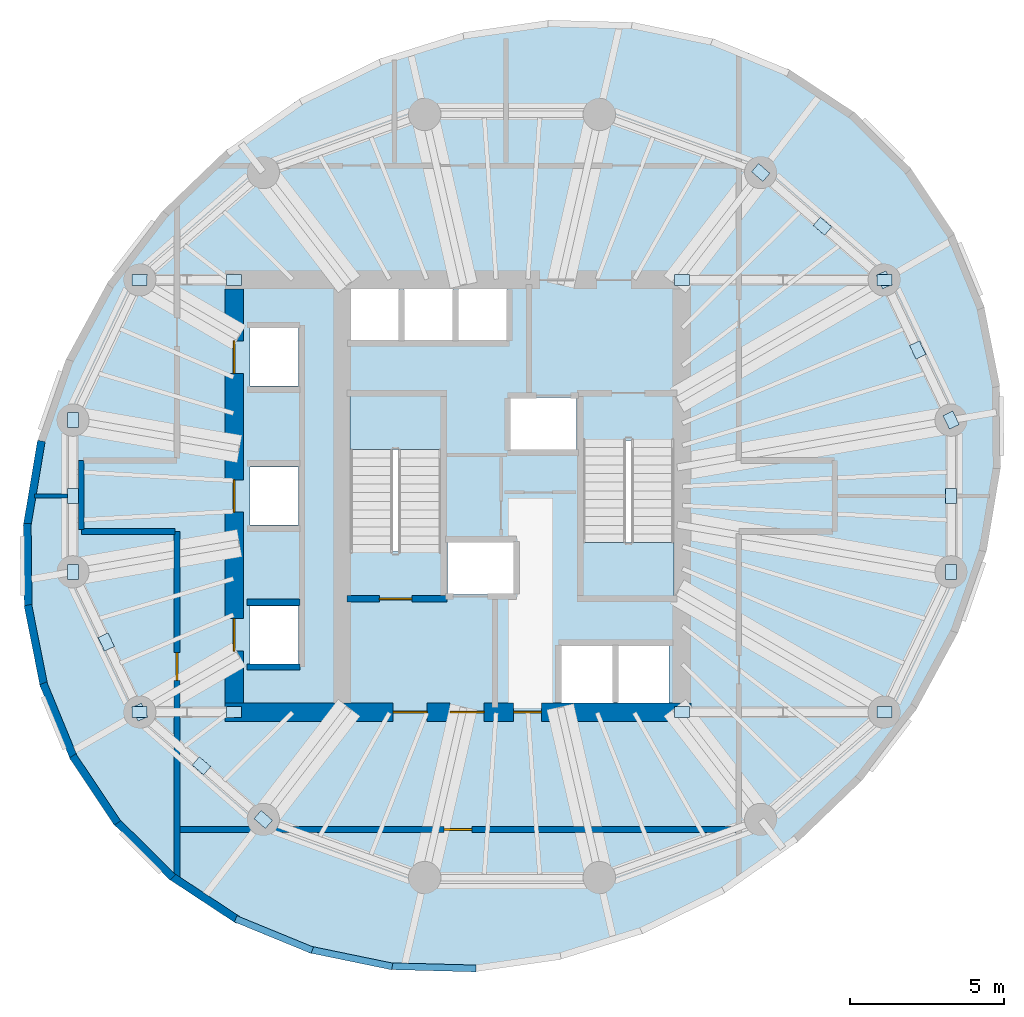
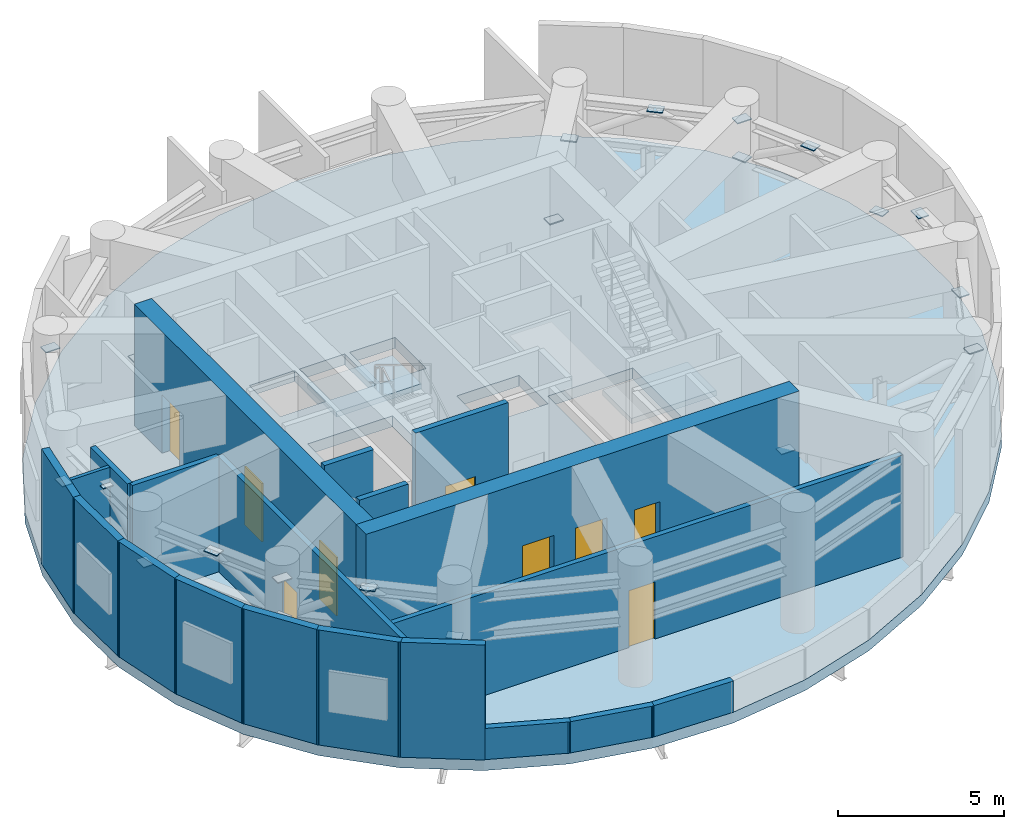
# One storey, part 4 of 8: 22 plates, 20 walls, 9 doors, 3 slabs, 9 openings, 2 elements without a shape of their own.
"""IFC4 building model written with IfcOpenShell, lengths in metres."""

from ifc_helpers import new_model, si_unit, direction, frame, frame_2d, origin, origin_2d, place, context, subcontext, project, spatial, polyline, rectangle, outline, extrude, material, layer, layer_set, type_object, element, fill, aggregate, save


model = new_model("IFC4")

# Units and contexts
model_context = context("Model", 3, precision=1e-05, world=origin(), true_north=direction((0.0, 1.0)))
body_context = subcontext(model_context, "Body", "Model", "MODEL_VIEW")
ifc_project = project(units=[si_unit("LENGTHUNIT", "METRE"), si_unit("AREAUNIT", "SQUARE_METRE"), si_unit("VOLUMEUNIT", "CUBIC_METRE"), si_unit("PLANEANGLEUNIT", "RADIAN"), si_unit("MASSUNIT", "GRAM", prefix="KILO")], contexts=[model_context])

# Site, building, storey
site_placement = place(None, origin())
site = spatial("IfcSite", under=ifc_project, at=site_placement, CompositionType="ELEMENT")
building_placement = place(site_placement, origin())
building = spatial("IfcBuilding", under=site, at=building_placement, Name="Veldorim Arch Residences", CompositionType="ELEMENT")
storey_placement = place(building_placement, frame((0.0, 0.0, 158.56005859375)))
storey = spatial("IfcBuildingStorey", under=building, at=storey_placement, Name="L47", CompositionType="ELEMENT", Elevation=158.56005859375)

# Slab
ifc_material_1 = material(Name="Concrete C50/60", Category="concrete")
ifc_layer_1 = layer(ifc_material_1, 0.39990234375, Name="Refuge & Outrigger Diaphragm Slab 400")
ifc_layer_set_1 = layer_set([ifc_layer_1], Name="Concrete C50/60")
slab_type_1 = type_object("IfcSlabType", Name="Refuge & Outrigger Diaphragm Slab 400", PredefinedType="FLOOR", material=ifc_layer_set_1)
slab_1_placement = place(storey_placement, frame((0.0, 0.0, -0.400146484375)))
element("IfcSlab", 1, at=slab_1_placement, inside=storey, type_object=slab_type_1, Name="L47 tower structural floor slab", PredefinedType="FLOOR", context=body_context, shape_type="SweptSolid", body=[
    extrude(outline(polyline([(44.889892578125, 34.617919921875), (43.0908203125, 36.40283203125), (40.955078125, 37.810791015625), (38.547119140625, 38.799072265625), (35.93994140625, 39.337646484375), (33.21337890625, 39.410400390625), (30.44970703125, 39.0146484375), (27.7333984375, 38.162841796875), (25.146484375, 36.880615234375), (22.76806640625, 35.207275390625), (20.669921875, 33.193115234375), (18.916259765625, 30.89990234375), (17.56005859375, 28.396728515625), (16.642578125, 25.760009765625), (16.191650390625, 23.070068359375), (16.22119140625, 20.408203125), (16.72998046875, 17.85546875), (17.702880859375, 15.489501953125), (19.110107421875, 13.382080078125), (20.9091796875, 11.59716796875), (23.044921875, 10.189208984375), (25.452880859375, 9.200927734375), (28.06005859375, 8.662353515625), (30.78662109375, 8.589599609375), (33.55029296875, 8.9853515625), (36.2666015625, 9.837158203125), (38.853515625, 11.119384765625), (41.23193359375, 12.792724609375), (43.330078125, 14.806884765625), (45.083740234375, 17.10009765625), (46.43994140625, 19.603271484375), (47.357421875, 22.239990234375), (47.808349609375, 24.929931640625), (47.77880859375, 27.591796875), (47.27001953125, 30.14453125), (46.297119140625, 32.510498046875), (44.889892578125, 34.617919921875)]), holes=[polyline([(23.510009765625, 18.56005859375), (23.510009765625, 20.43994140625), (25.090087890625, 20.43994140625), (25.090087890625, 18.56005859375), (23.510009765625, 18.56005859375)]), polyline([(23.510009765625, 24.93994140625), (25.090087890625, 24.93994140625), (25.090087890625, 23.06005859375), (23.510009765625, 23.06005859375), (23.510009765625, 24.93994140625)]), polyline([(26.75, 27.25), (29.7099609375, 27.25), (29.7099609375, 22.195068359375), (26.75, 22.195068359375), (26.75, 27.25)]), polyline([(23.510009765625, 27.56005859375), (23.510009765625, 29.43994140625), (25.090087890625, 29.43994140625), (25.090087890625, 27.56005859375), (23.510009765625, 27.56005859375)]), polyline([(26.760009765625, 30.7900390625), (28.340087890625, 30.7900390625), (28.340087890625, 28.909912109375), (26.760009765625, 28.909912109375), (26.760009765625, 30.7900390625)]), polyline([(28.510009765625, 30.7900390625), (30.090087890625, 30.7900390625), (30.090087890625, 28.909912109375), (28.510009765625, 28.909912109375), (28.510009765625, 30.7900390625)]), polyline([(33.610107421875, 17.2099609375), (33.610107421875, 19.2900390625), (35.2900390625, 19.2900390625), (35.2900390625, 17.2099609375), (33.610107421875, 17.2099609375)]), polyline([(35.409912109375, 19.2900390625), (37.090087890625, 19.2900390625), (37.090087890625, 17.2099609375), (35.409912109375, 17.2099609375), (35.409912109375, 19.2900390625)]), polyline([(29.909912109375, 22.544921875), (32.090087890625, 22.544921875), (32.090087890625, 20.81494140625), (29.909912109375, 20.81494140625), (29.909912109375, 22.544921875)]), polyline([(34.2900390625, 20.75), (34.2900390625, 25.804931640625), (37.25, 25.804931640625), (37.25, 20.75), (34.2900390625, 20.75)]), polyline([(31.909912109375, 27.18505859375), (34.090087890625, 27.18505859375), (34.090087890625, 25.455078125), (31.909912109375, 25.455078125), (31.909912109375, 27.18505859375)]), polyline([(30.260009765625, 30.7900390625), (31.840087890625, 30.7900390625), (31.840087890625, 28.909912109375), (30.260009765625, 28.909912109375), (30.260009765625, 30.7900390625)])]), origin(), (0.0, 0.0, 1.0), 0.400146484375),
])

# Stair, slab
ifc_material_2 = material(Name="Concrete C40/50", Category="concrete")
stair_type = type_object("IfcStairType", Name="Reinforced Concrete Dogleg Exit Staircase", PredefinedType="HALF_TURN_STAIR", material=ifc_material_2)
stair_1_placement = place(storey_placement, origin())
stair_1 = element("IfcStair", 2, at=stair_1_placement, inside=storey, type_object=stair_type, Name="L47 Exit Staircase ST-1", PredefinedType="HALF_TURN_STAIR")
ifc_material_3 = material(Name="Concrete C40/50", Category="concrete")
ifc_layer_2 = layer(ifc_material_3, 0.199951171875, Name="Reinforced Concrete Stair Landing 200")
ifc_layer_set_2 = layer_set([ifc_layer_2], Name="Concrete C40/50")
slab_type_2 = type_object("IfcSlabType", Name="Reinforced Concrete Stair Landing 200", PredefinedType="LANDING", material=ifc_layer_set_2)
slab_2_placement = place(storey_placement, frame((0.0, 0.0, 2.0400390625)))
slab_2 = element("IfcSlab", 3, at=slab_2_placement, type_object=slab_type_2, Name="ST-1 landing 1", PredefinedType="LANDING", context=body_context, shape_type="SweptSolid", body=[
    extrude(outline(polyline([(29.7099609375, 25.510009765625), (29.7099609375, 27.25), (26.75, 27.25), (26.75, 25.510009765625), (29.7099609375, 25.510009765625)])), origin(), (0.0, 0.0, 1.0), 0.199951171875),
])
aggregate(stair_1, [slab_2])

stair_2_placement = place(storey_placement, origin())
stair_2 = element("IfcStair", 4, at=stair_2_placement, inside=storey, type_object=stair_type, Name="L47 Exit Staircase ST-2", PredefinedType="HALF_TURN_STAIR")
slab_3_placement = place(storey_placement, frame((0.0, 0.0, 2.0400390625)))
slab_3 = element("IfcSlab", 5, at=slab_3_placement, type_object=slab_type_2, Name="ST-2 landing 1", PredefinedType="LANDING", context=body_context, shape_type="SweptSolid", body=[
    extrude(outline(polyline([(34.2900390625, 22.489990234375), (34.2900390625, 20.75), (37.25, 20.75), (37.25, 22.489990234375), (34.2900390625, 22.489990234375)])), origin(), (0.0, 0.0, 1.0), 0.199951171875),
])
aggregate(stair_2, [slab_3])

# Plates
ifc_material_4 = material(Name="Steel S355", Category="steel")
ifc_layer_3 = layer(ifc_material_4, 0.035888671875, Name="Welded Hollow-Section End-Cap & Gusset Plate 36")
ifc_layer_set_3 = layer_set([ifc_layer_3], Name="Steel S355")
plate_type = type_object("IfcPlateType", Name="Welded Hollow-Section End-Cap & Gusset Plate 36", PredefinedType="USERDEFINED", material=ifc_layer_set_3)
for number, where, z_axis, x_axis, name in (
    (6, (46.221435546875, 26.4580078125, 2.22216796875), (0.0, 0.0, 1.0), (-0.430259030666, 0.902705470533, 0.0), "L47 belt truss chevron brace 01A welded joint gusset plate 1"),
    (7, (45.138916015625, 28.729248046875, 3.64208984375), (0.0, 0.0, 1.0), (-0.430259030666, 0.902705470533, 0.0), "L47 belt truss chevron brace 01A welded joint gusset plate 2"),
    (8, (44.056396484375, 31.000244140625, 2.22216796875), (0.0, 0.0, 1.0), (0.430306295624, -0.902682940986, 0.0), "L47 belt truss chevron brace 01B welded joint gusset plate 1"),
    (9, (42.055908203125, 32.73828125, 3.64208984375), (0.0, 0.0, 1.0), (-0.754846968351, 0.655900948598, 0.0), "L47 belt truss chevron brace 02A welded joint gusset plate 2"),
    (10, (40.055908203125, 34.4765625, 2.22216796875), (0.0, 0.0, 1.0), (0.754812624423, -0.655940471394, 0.0), "L47 belt truss chevron brace 02B welded joint gusset plate 1"),
    (11, (17.778564453125, 26.4580078125, 2.22216796875), (0.0, 0.0, 1.0), (0.0, -1.0, 0.0), "L47 belt truss chevron brace 08A welded joint gusset plate 1"),
    (12, (17.778564453125, 24.0, 3.64208984375), (0.0, 0.0, 1.0), (0.0, -1.0, 0.0), "L47 belt truss chevron brace 08A welded joint gusset plate 2"),
    (13, (17.778564453125, 21.5419921875, 2.22216796875), (0.0, 0.0, 1.0), (0.0, 1.0, 0.0), "L47 belt truss chevron brace 08B welded joint gusset plate 1"),
    (14, (18.861083984375, 19.270751953125, 3.64208984375), (0.0, 0.0, 1.0), (0.430290540769, -0.90269045111, 0.0), "L47 belt truss chevron brace 09A welded joint gusset plate 2"),
    (15, (19.943603515625, 16.999755859375, 2.22216796875), (0.0, 0.0, 1.0), (-0.430274785783, 0.902697960959, 0.0), "L47 belt truss chevron brace 09B welded joint gusset plate 1"),
    (16, (21.944091796875, 15.26171875, 3.64208984375), (0.0, 0.0, 1.0), (0.754824072629, -0.655927297328, 0.0), "L47 belt truss chevron brace 10A welded joint gusset plate 2"),
    (17, (23.944091796875, 13.5234375, 2.22216796875), (0.0, 0.0, 1.0), (-0.754835520605, 0.655914123063, 0.0), "L47 belt truss chevron brace 10B welded joint gusset plate 1"),
    (18, (46.221435546875, 21.5419921875, 2.22216796875), (0.0, 0.0, 1.0), (0.0, 1.0, 0.0), "L47 belt truss chevron brace 16A welded joint gusset plate 1"),
    (19, (46.221435546875, 24.0, 3.64208984375), (0.0, 0.0, 1.0), (0.0, 1.0, 0.0), "L47 belt truss chevron brace 16A welded joint gusset plate 2"),
    (20, (37.5, 17.0, 2.22216796875), (0.0, 0.0, 1.0), (0.999999999391, -3.4906585e-05, 0.0), "L47 outrigger truss diagonal 01 welded joint gusset plate 1"),
    (21, (44.056396484375, 16.999755859375, 3.64208984375), (0.0, 0.0, 1.0), (0.999999999391, -3.4906585e-05, 0.0), "L47 outrigger truss diagonal 01 welded joint gusset plate 2"),
    (22, (37.5, 31.0, 2.22216796875), (0.0, 0.0, 1.0), (0.999999999391, 3.4906585e-05, 0.0), "L47 outrigger truss diagonal 02 welded joint gusset plate 1"),
    (23, (44.056396484375, 31.000244140625, 3.64208984375), (0.0, 0.0, 1.0), (0.999999999391, 3.4906585e-05, 0.0), "L47 outrigger truss diagonal 02 welded joint gusset plate 2"),
    (24, (23.0, 31.0, 2.22216796875), (0.0, 0.0, 1.0), (-0.999999997563, 6.981317e-05, 0.0), "L47 outrigger truss diagonal 03 welded joint gusset plate 1"),
    (25, (19.943603515625, 31.000244140625, 3.64208984375), (0.0, 0.0, 1.0), (-0.999999997563, 6.981317e-05, 0.0), "L47 outrigger truss diagonal 03 welded joint gusset plate 2"),
    (26, (23.0, 17.0, 2.22216796875), (0.0, 0.0, 1.0), (-0.999999997563, -6.981317e-05, 0.0), "L47 outrigger truss diagonal 04 welded joint gusset plate 1"),
    (27, (19.943603515625, 16.999755859375, 3.64208984375), (0.0, 0.0, 1.0), (-0.999999997563, -6.981317e-05, 0.0), "L47 outrigger truss diagonal 04 welded joint gusset plate 2"),
):
    element("IfcPlate", number, at=place(storey_placement, frame(where, z_axis=z_axis, x_axis=x_axis)), inside=storey, type_object=plate_type, Name=name, ObjectType="GUSSET PLATE", PredefinedType="USERDEFINED", context=body_context, shape_type="SweptSolid", body=[
        extrude(rectangle(XDim=0.487060546875, YDim=0.35302734375, at=origin_2d()), origin(), (0.0, 0.0, 1.0), 0.035888671875),
    ])

# Wall
ifc_material_5 = material(Name="Acoustic Gypsum Board", Category="gypsum")
ifc_layer_4 = layer(ifc_material_5, 0.125, Name="Acoustic Stud Room Partition Wall 125")
ifc_layer_set_4 = layer_set([ifc_layer_4], Name="Acoustic Gypsum Board")
wall_type_1 = type_object("IfcWallType", Name="Acoustic Stud Room Partition Wall 125", PredefinedType="PARTITIONING", material=ifc_layer_set_4)
wall_1_placement = place(storey_placement, frame((16.530029296875, 24.0, 0.0), z_axis=(0.0, 0.0, 1.0), x_axis=(1.0, 0.0, 0.0)))
element("IfcWall", 28, at=wall_1_placement, inside=storey, type_object=wall_type_1, Name="L47 interior wall WL-PLT-L47-015", PredefinedType="PARTITIONING", context=body_context, shape_type="SweptSolid", body=[
    extrude(rectangle(XDim=1.419921875, YDim=0.125, at=frame_2d((0.7099609375, 0.0))), origin(), (0.0, 0.0, 1.0), 4.23486328125),
])

# Wall, opening, door
ifc_material_6 = material(Name="Lightweight Masonry Block & Gypsum", Category="masonry")
ifc_layer_5 = layer(ifc_material_6, 0.179931640625, Name="Compartment & Corridor Fire-Rated Party Wall 180")
ifc_layer_set_5 = layer_set([ifc_layer_5], Name="Lightweight Masonry Block & Gypsum")
wall_type_2 = type_object("IfcWallType", Name="Compartment & Corridor Fire-Rated Party Wall 180", PredefinedType="PARTITIONING", material=ifc_layer_set_5)
wall_2_placement = place(storey_placement, frame((39.35009765625, 13.199951171875, 0.0), z_axis=(0.0, 0.0, 1.0), x_axis=(-1.0, 0.0, 0.0)))
wall_2 = element("IfcWall", 29, at=wall_2_placement, inside=storey, type_object=wall_type_2, Name="L47 interior wall WL-PLT-L47-001", PredefinedType="PARTITIONING", context=body_context, shape_type="SweptSolid", body=[
    extrude(rectangle(XDim=18.2001953125, YDim=0.179931640625, at=frame_2d((9.10009765625, 0.0))), origin(), (0.0, 0.0, 1.0), 3.767822265625),
])
opening_1_placement = place(wall_2_placement, frame((8.64990234375, 0.0, 0.0)))
opening_1 = element("IfcOpeningElement", 30, at=opening_1_placement, cuts=wall_2, Name="Opening DR-INT", PredefinedType="OPENING", context=body_context, shape_type="SweptSolid", body=[
    extrude(rectangle(XDim=0.89990234375, YDim=2.10009765625, at=frame_2d((0.449951171875, 1.050048828125))), frame((0.0, 0.099853515625, 0.0), z_axis=(0.0, -1.0, 0.0), x_axis=(1.0, 0.0, 0.0)), (0.0, 0.0, 1.0), 0.199951171875),
])
ifc_material_7 = material(Name="Engineered Timber", Category="wood")
door_type_1 = type_object("IfcDoorType", Name="Apartment Internal Room Timber Door 900x2100", OperationType="SINGLE_SWING_LEFT", PredefinedType="DOOR", material=ifc_material_7)
door_1_placement = place(opening_1_placement, origin())
door_1 = element("IfcDoor", 31, at=door_1_placement, inside=storey, type_object=door_type_1, Name="L47 interior door DR-PLT-L47-001", OperationType="SINGLE_SWING_LEFT", OverallHeight=2.10009765625, OverallWidth=0.89990234375, PredefinedType="DOOR", context=body_context, shape_type="SweptSolid", body=[
    extrude(rectangle(XDim=0.89990234375, YDim=2.10009765625, at=frame_2d((0.449951171875, 1.050048828125))), frame((0.0, 0.02490234375, 0.0), z_axis=(0.0, -1.0, 0.0), x_axis=(1.0, 0.0, 0.0)), (0.0, 0.0, 1.0), 0.050048828125),
])
fill(opening_1, door_1)

wall_3_placement = place(storey_placement, frame((21.14990234375, 11.654052734375, 0.0), z_axis=(0.0, 0.0, 1.0), x_axis=(0.0, 1.0, 0.0)))
wall_3 = element("IfcWall", 32, at=wall_3_placement, inside=storey, type_object=wall_type_2, Name="L47 interior wall WL-PLT-L47-003", PredefinedType="PARTITIONING", context=body_context, shape_type="SweptSolid", body=[
    extrude(rectangle(XDim=11.196044921875, YDim=0.179931640625, at=frame_2d((5.59814453125, 0.0))), origin(), (0.0, 0.0, 1.0), 4.23486328125),
])
opening_2_placement = place(wall_3_placement, frame((6.37109375, 0.0, 0.0)))
opening_2 = element("IfcOpeningElement", 33, at=opening_2_placement, cuts=wall_3, Name="Opening DR-SVC", PredefinedType="OPENING", context=body_context, shape_type="SweptSolid", body=[
    extrude(rectangle(XDim=0.89990234375, YDim=2.10009765625, at=frame_2d((0.449951171875, 1.050048828125))), frame((0.0, 0.099853515625, 0.0), z_axis=(0.0, -1.0, 0.0), x_axis=(1.0, 0.0, 0.0)), (0.0, 0.0, 1.0), 0.199951171875),
])
ifc_material_8 = material(Name="Fire-Rated Steel", Category="steel")
door_type_2 = type_object("IfcDoorType", Name="Riser, Shelter & Plant Room Rated Steel Door 900x2100", OperationType="SINGLE_SWING_LEFT", PredefinedType="DOOR", material=ifc_material_8)
door_2_placement = place(opening_2_placement, origin())
door_2 = element("IfcDoor", 34, at=door_2_placement, inside=storey, type_object=door_type_2, Name="L47 interior door DR-PLT-L47-005", OperationType="SINGLE_SWING_LEFT", OverallHeight=2.10009765625, OverallWidth=0.89990234375, PredefinedType="DOOR", context=body_context, shape_type="SweptSolid", body=[
    extrude(rectangle(XDim=0.89990234375, YDim=2.10009765625, at=frame_2d((0.449951171875, 1.050048828125))), frame((0.0, 0.02490234375, 0.0), z_axis=(0.0, -1.0, 0.0), x_axis=(1.0, 0.0, 0.0)), (0.0, 0.0, 1.0), 0.050048828125),
])
fill(opening_2, door_2)

# Walls
wall_4_placement = place(storey_placement, frame((21.090087890625, 22.85009765625, 0.0), z_axis=(0.0, 0.0, 1.0), x_axis=(-1.0, 0.0, 0.0)))
element("IfcWall", 35, at=wall_4_placement, inside=storey, type_object=wall_type_2, Name="L47 interior wall WL-PLT-L47-004", PredefinedType="PARTITIONING", context=body_context, shape_type="SweptSolid", body=[
    extrude(rectangle(XDim=3.0400390625, YDim=0.179931640625, at=frame_2d((1.52001953125, 0.0))), origin(), (0.0, 0.0, 1.0), 4.23486328125),
])
wall_5_placement = place(storey_placement, frame((18.050048828125, 22.909912109375, 0.0), z_axis=(0.0, 0.0, 1.0), x_axis=(0.0, 1.0, 0.0)))
element("IfcWall", 36, at=wall_5_placement, inside=storey, type_object=wall_type_2, Name="L47 interior wall WL-PLT-L47-005", PredefinedType="PARTITIONING", context=body_context, shape_type="SweptSolid", body=[
    extrude(rectangle(XDim=2.239990234375, YDim=0.179931640625, at=frame_2d((1.1201171875, 0.0))), origin(), (0.0, 0.0, 1.0), 4.23486328125),
])

# Wall, opening, door
ifc_material_9 = material(Name="Concrete C50/60", Category="concrete")
ifc_layer_6 = layer(ifc_material_9, 0.199951171875, Name="Core Stair & Lift Shaft Enclosure Wall 200")
ifc_layer_set_6 = layer_set([ifc_layer_6], Name="Concrete C50/60")
wall_type_3 = type_object("IfcWallType", Name="Core Stair & Lift Shaft Enclosure Wall 200", PredefinedType="SHEAR", material=ifc_layer_set_6)
wall_6_placement = place(storey_placement, frame((26.64990234375, 20.669921875, 0.0), z_axis=(0.0, 0.0, 1.0), x_axis=(1.0, 0.0, 0.0)))
wall_6 = element("IfcWall", 37, at=wall_6_placement, inside=storey, type_object=wall_type_3, Name="L47 shaft wall WL-SHF-L47-ST1-S", PredefinedType="SHEAR", context=body_context, shape_type="SweptSolid", body=[
    extrude(rectangle(XDim=3.239990234375, YDim=0.199951171875, at=frame_2d((1.6201171875, 0.0))), origin(), (0.0, 0.0, 1.0), 4.47998046875),
])
opening_3_placement = place(wall_6_placement, frame((1.054931640625, 0.0, 0.0)))
opening_3 = element("IfcOpeningElement", 38, at=opening_3_placement, cuts=wall_6, Name="Opening DR-ST", PredefinedType="OPENING", context=body_context, shape_type="SweptSolid", body=[
    extrude(rectangle(XDim=1.050048828125, YDim=2.14990234375, at=frame_2d((0.52490234375, 1.074951171875))), frame((0.0, 0.10986328125, 0.0), z_axis=(0.0, -1.0, 0.0), x_axis=(1.0, 0.0, 0.0)), (0.0, 0.0, 1.0), 0.219970703125),
])
ifc_material_10 = material(Name="Fire-Rated Steel", Category="steel")
door_type_3 = type_object("IfcDoorType", Name="Exit Staircase Self-Closing Fire Door 1050x2150", OperationType="SINGLE_SWING_LEFT", PredefinedType="DOOR", material=ifc_material_10)
door_3_placement = place(opening_3_placement, origin())
door_3 = element("IfcDoor", 39, at=door_3_placement, inside=storey, type_object=door_type_3, Name="L47 interior door DR-L47-ST1", OperationType="SINGLE_SWING_LEFT", OverallHeight=2.14990234375, OverallWidth=1.050048828125, PredefinedType="DOOR", context=body_context, shape_type="SweptSolid", body=[
    extrude(rectangle(XDim=1.050048828125, YDim=2.14990234375, at=frame_2d((0.52490234375, 1.074951171875))), frame((0.0, 0.02490234375, 0.0), z_axis=(0.0, -1.0, 0.0), x_axis=(1.0, 0.0, 0.0)), (0.0, 0.0, 1.0), 0.050048828125),
])
fill(opening_3, door_3)

# Walls
for number, where, z_axis, x_axis, name in (
    (40, (23.419921875, 18.4599609375, 0.0), (0.0, 0.0, 1.0), (1.0, 0.0, 0.0), "L47 shaft wall WL-B2-L47-S"),
    (41, (23.419921875, 20.56005859375, 0.0), (0.0, 0.0, 1.0), (1.0, 0.0, 0.0), "L47 shaft wall WL-B2-L47-D1A"),
):
    element("IfcWall", number, at=place(storey_placement, frame(where, z_axis=z_axis, x_axis=x_axis)), inside=storey, type_object=wall_type_3, Name=name, PredefinedType="SHEAR", context=body_context, shape_type="SweptSolid", body=[
        extrude(rectangle(XDim=1.7099609375, YDim=0.199951171875, at=frame_2d((0.85498046875, 0.0))), origin(), (0.0, 0.0, 1.0), 4.47998046875),
    ])

# Wall, openings, doors
ifc_material_11 = material(Name="Concrete C50/60", Category="concrete")
ifc_layer_7 = layer(ifc_material_11, 0.60009765625, Name="Mid-Upper Central Core Shear Wall 600")
ifc_layer_set_7 = layer_set([ifc_layer_7], Name="Concrete C50/60")
wall_type_4 = type_object("IfcWallType", Name="Mid-Upper Central Core Shear Wall 600", PredefinedType="SHEAR", material=ifc_layer_set_7)
wall_7_placement = place(storey_placement, frame((22.699951171875, 17.0, 0.0), z_axis=(0.0, 0.0, 1.0), x_axis=(1.0, 0.0, 0.0)))
wall_7 = element("IfcWall", 42, at=wall_7_placement, inside=storey, type_object=wall_type_4, Name="L47 central core south shear wall", PredefinedType="SHEAR", context=body_context, shape_type="SweptSolid", body=[
    extrude(rectangle(XDim=15.10009765625, YDim=0.60009765625, at=frame_2d((7.550048828125, 0.0))), origin(), (0.0, 0.0, 1.0), 4.47998046875),
])
opening_4_placement = place(wall_7_placement, frame((5.449951171875, 0.0, 0.0)))
opening_4 = element("IfcOpeningElement", 43, at=opening_4_placement, cuts=wall_7, Name="Opening DR-FFL", PredefinedType="OPENING", context=body_context, shape_type="SweptSolid", body=[
    extrude(rectangle(XDim=1.10009765625, YDim=2.14990234375, at=frame_2d((0.550048828125, 1.074951171875))), frame((0.0, 0.31005859375, 0.0), z_axis=(0.0, -1.0, 0.0), x_axis=(1.0, 0.0, 0.0)), (0.0, 0.0, 1.0), 0.6201171875),
])
opening_5_placement = place(wall_7_placement, frame((7.300048828125, 0.0, 0.0)))
opening_5 = element("IfcOpeningElement", 44, at=opening_5_placement, cuts=wall_7, Name="Opening DR-FFL", PredefinedType="OPENING", context=body_context, shape_type="SweptSolid", body=[
    extrude(rectangle(XDim=1.10009765625, YDim=2.14990234375, at=frame_2d((0.550048828125, 1.074951171875))), frame((0.0, 0.31005859375, 0.0), z_axis=(0.0, -1.0, 0.0), x_axis=(1.0, 0.0, 0.0)), (0.0, 0.0, 1.0), 0.6201171875),
])
opening_6_placement = place(wall_7_placement, frame((9.35009765625, 0.0, 0.0)))
opening_6 = element("IfcOpeningElement", 45, at=opening_6_placement, cuts=wall_7, Name="Opening DR-SVC", PredefinedType="OPENING", context=body_context, shape_type="SweptSolid", body=[
    extrude(rectangle(XDim=0.89990234375, YDim=2.10009765625, at=frame_2d((0.449951171875, 1.050048828125))), frame((0.0, 0.31005859375, 0.0), z_axis=(0.0, -1.0, 0.0), x_axis=(1.0, 0.0, 0.0)), (0.0, 0.0, 1.0), 0.6201171875),
])
ifc_material_12 = material(Name="Fire-Rated Steel & Vision Glass", Category="steel")
door_type_4 = type_object("IfcDoorType", Name="Firefighting Lobby Smoke-Stop Fire Door 1100x2150", OperationType="SINGLE_SWING_LEFT", PredefinedType="DOOR", material=ifc_material_12)
door_4_placement = place(opening_4_placement, origin())
door_4 = element("IfcDoor", 46, at=door_4_placement, inside=storey, type_object=door_type_4, Name="L47 interior door DR-L47-REF1", OperationType="SINGLE_SWING_RIGHT", OverallHeight=2.14990234375, OverallWidth=1.10009765625, PredefinedType="DOOR", context=body_context, shape_type="SweptSolid", body=[
    extrude(rectangle(XDim=1.10009765625, YDim=2.14990234375, at=frame_2d((0.550048828125, 1.074951171875))), frame((0.0, 0.02490234375, 0.0), z_axis=(0.0, -1.0, 0.0), x_axis=(1.0, 0.0, 0.0)), (0.0, 0.0, 1.0), 0.050048828125),
])
fill(opening_4, door_4)
door_5_placement = place(opening_5_placement, origin())
door_5 = element("IfcDoor", 47, at=door_5_placement, inside=storey, type_object=door_type_4, Name="L47 interior door DR-L47-FFL1", OperationType="SINGLE_SWING_LEFT", OverallHeight=2.14990234375, OverallWidth=1.10009765625, PredefinedType="DOOR", context=body_context, shape_type="SweptSolid", body=[
    extrude(rectangle(XDim=1.10009765625, YDim=2.14990234375, at=frame_2d((0.550048828125, 1.074951171875))), frame((0.0, 0.02490234375, 0.0), z_axis=(0.0, -1.0, 0.0), x_axis=(1.0, 0.0, 0.0)), (0.0, 0.0, 1.0), 0.050048828125),
])
fill(opening_5, door_5)
door_6_placement = place(opening_6_placement, origin())
door_6 = element("IfcDoor", 48, at=door_6_placement, inside=storey, type_object=door_type_2, Name="L47 interior door DR-L47-COR-ANC", OperationType="SINGLE_SWING_LEFT", OverallHeight=2.10009765625, OverallWidth=0.89990234375, PredefinedType="DOOR", context=body_context, shape_type="SweptSolid", body=[
    extrude(rectangle(XDim=0.89990234375, YDim=2.10009765625, at=frame_2d((0.449951171875, 1.050048828125))), frame((0.0, 0.02490234375, 0.0), z_axis=(0.0, -1.0, 0.0), x_axis=(1.0, 0.0, 0.0)), (0.0, 0.0, 1.0), 0.050048828125),
])
fill(opening_6, door_6)

wall_8_placement = place(storey_placement, frame((23.0, 17.300048828125, 0.0), z_axis=(0.0, 0.0, 1.0), x_axis=(0.0, 1.0, 0.0)))
wall_8 = element("IfcWall", 49, at=wall_8_placement, inside=storey, type_object=wall_type_4, Name="L47 central core west shear wall", PredefinedType="SHEAR", context=body_context, shape_type="SweptSolid", body=[
    extrude(rectangle(XDim=13.39990234375, YDim=0.60009765625, at=frame_2d((6.699951171875, 0.0))), origin(), (0.0, 0.0, 1.0), 4.47998046875),
])
opening_7_placement = place(wall_8_placement, frame((1.675048828125, 0.0, 0.0)))
opening_7 = element("IfcOpeningElement", 50, at=opening_7_placement, cuts=wall_8, Name="Opening LD-PS", PredefinedType="OPENING", context=body_context, shape_type="SweptSolid", body=[
    extrude(rectangle(XDim=1.050048828125, YDim=2.14990234375, at=frame_2d((0.52490234375, 1.074951171875))), frame((0.0, 0.31005859375, 0.0), z_axis=(0.0, -1.0, 0.0), x_axis=(1.0, 0.0, 0.0)), (0.0, 0.0, 1.0), 0.6201171875),
])
opening_8_placement = place(wall_8_placement, frame((6.175048828125, 0.0, 0.0)))
opening_8 = element("IfcOpeningElement", 51, at=opening_8_placement, cuts=wall_8, Name="Opening LD-PS", PredefinedType="OPENING", context=body_context, shape_type="SweptSolid", body=[
    extrude(rectangle(XDim=1.050048828125, YDim=2.14990234375, at=frame_2d((0.52490234375, 1.074951171875))), frame((0.0, 0.31005859375, 0.0), z_axis=(0.0, -1.0, 0.0), x_axis=(1.0, 0.0, 0.0)), (0.0, 0.0, 1.0), 0.6201171875),
])
opening_9_placement = place(wall_8_placement, frame((10.675048828125, 0.0, 0.0)))
opening_9 = element("IfcOpeningElement", 52, at=opening_9_placement, cuts=wall_8, Name="Opening LD-PS", PredefinedType="OPENING", context=body_context, shape_type="SweptSolid", body=[
    extrude(rectangle(XDim=1.050048828125, YDim=2.14990234375, at=frame_2d((0.52490234375, 1.074951171875))), frame((0.0, 0.31005859375, 0.0), z_axis=(0.0, -1.0, 0.0), x_axis=(1.0, 0.0, 0.0)), (0.0, 0.0, 1.0), 0.6201171875),
])
ifc_material_13 = material(Name="Stainless Steel", Category="steel")
door_type_5 = type_object("IfcDoorType", Name="Passenger Lift Bi-Parting Sliding Landing Door 1050x2150", OperationType="DOUBLE_DOOR_SLIDING", PredefinedType="DOOR", material=ifc_material_13)
door_7_placement = place(opening_7_placement, origin())
door_7 = element("IfcDoor", 53, at=door_7_placement, inside=storey, type_object=door_type_5, Name="L47 lift landing door LD-L47-PL-05", OperationType="DOUBLE_DOOR_SLIDING", OverallHeight=2.14990234375, OverallWidth=1.050048828125, PredefinedType="DOOR", context=body_context, shape_type="SweptSolid", body=[
    extrude(rectangle(XDim=1.050048828125, YDim=2.14990234375, at=frame_2d((0.52490234375, 1.074951171875))), frame((0.0, 0.02490234375, 0.0), z_axis=(0.0, -1.0, 0.0), x_axis=(1.0, 0.0, 0.0)), (0.0, 0.0, 1.0), 0.050048828125),
])
fill(opening_7, door_7)
door_8_placement = place(opening_8_placement, origin())
door_8 = element("IfcDoor", 54, at=door_8_placement, inside=storey, type_object=door_type_5, Name="L47 lift landing door LD-L47-PL-06", OperationType="DOUBLE_DOOR_SLIDING", OverallHeight=2.14990234375, OverallWidth=1.050048828125, PredefinedType="DOOR", context=body_context, shape_type="SweptSolid", body=[
    extrude(rectangle(XDim=1.050048828125, YDim=2.14990234375, at=frame_2d((0.52490234375, 1.074951171875))), frame((0.0, 0.02490234375, 0.0), z_axis=(0.0, -1.0, 0.0), x_axis=(1.0, 0.0, 0.0)), (0.0, 0.0, 1.0), 0.050048828125),
])
fill(opening_8, door_8)
door_9_placement = place(opening_9_placement, origin())
door_9 = element("IfcDoor", 55, at=door_9_placement, inside=storey, type_object=door_type_5, Name="L47 lift landing door LD-L47-PL-07", OperationType="DOUBLE_DOOR_SLIDING", OverallHeight=2.14990234375, OverallWidth=1.050048828125, PredefinedType="DOOR", context=body_context, shape_type="SweptSolid", body=[
    extrude(rectangle(XDim=1.050048828125, YDim=2.14990234375, at=frame_2d((0.52490234375, 1.074951171875))), frame((0.0, 0.02490234375, 0.0), z_axis=(0.0, -1.0, 0.0), x_axis=(1.0, 0.0, 0.0)), (0.0, 0.0, 1.0), 0.050048828125),
])
fill(opening_9, door_9)

# Walls
ifc_material_14 = material(Name="Precast concrete C40/50", Category="concrete")
ifc_layer_8 = layer(ifc_material_14, 0.219970703125, Name="Terrace & Refuge Perimeter Parapet Wall 220")
ifc_layer_set_8 = layer_set([ifc_layer_8], Name="Precast concrete C40/50")
wall_type_5 = type_object("IfcWallType", Name="Terrace & Refuge Perimeter Parapet Wall 220", PredefinedType="PARAPET", material=ifc_layer_set_8)
wall_9_placement = place(storey_placement, frame((25.53173828125, 9.28759765625, 0.0), z_axis=(0.0, 0.0, 1.0), x_axis=(-0.925126004984, 0.379660209797, 0.0)))
element("IfcWall", 56, at=wall_9_placement, inside=storey, type_object=wall_type_5, Name="L47 fire refuge safety parapet 20", PredefinedType="PARAPET", context=body_context, shape_type="SweptSolid", body=[
    extrude(rectangle(XDim=2.682861328125, YDim=0.219970703125, at=frame_2d((1.34130859375, 0.0))), origin(), (0.0, 0.0, 1.0), 1.14990234375),
])
wall_10_placement = place(storey_placement, frame((28.121337890625, 8.761962890625, 0.0), z_axis=(0.0, 0.0, 1.0), x_axis=(-0.979324939828, 0.202293505163, 0.0)))
element("IfcWall", 57, at=wall_10_placement, inside=storey, type_object=wall_type_5, Name="L47 fire refuge safety parapet 21", PredefinedType="PARAPET", context=body_context, shape_type="SweptSolid", body=[
    extrude(rectangle(XDim=2.741943359375, YDim=0.219970703125, at=frame_2d((1.37109375, 0.0))), origin(), (0.0, 0.0, 1.0), 1.14990234375),
])
wall_11_placement = place(storey_placement, frame((30.82958984375, 8.698486328125, 0.0), z_axis=(0.0, 0.0, 1.0), x_axis=(-0.999645930397, 0.026608529463, 0.0)))
element("IfcWall", 58, at=wall_11_placement, inside=storey, type_object=wall_type_5, Name="L47 fire refuge safety parapet 22", PredefinedType="PARAPET", context=body_context, shape_type="SweptSolid", body=[
    extrude(rectangle(XDim=2.8076171875, YDim=0.219970703125, at=frame_2d((1.40380859375, 0.0))), origin(), (0.0, 0.0, 1.0), 1.14990234375),
])
ifc_material_15 = material(Name="Precast concrete C40/50", Category="concrete")
ifc_layer_9 = layer(ifc_material_15, 0.25, Name="Tower Terracotta Spandrel & Pier Wall 250")
ifc_layer_set_9 = layer_set([ifc_layer_9], Name="Precast concrete C40/50")
wall_type_6 = type_object("IfcWallType", Name="Tower Terracotta Spandrel & Pier Wall 250", PredefinedType="SOLIDWALL", material=ifc_layer_set_9)
wall_12_placement = place(storey_placement, frame((16.29345703125, 23.012451171875, 0.0), z_axis=(0.0, 0.0, 1.0), x_axis=(0.165301369928, 0.986243102435, 0.0)))
element("IfcWall", 59, at=wall_12_placement, inside=storey, type_object=wall_type_6, Name="L47 outrigger plant enclosure wall 13", PredefinedType="SOLIDWALL", context=body_context, shape_type="SweptSolid", body=[
    extrude(rectangle(XDim=2.8076171875, YDim=0.25, at=frame_2d((1.40380859375, 0.0))), origin(), (0.0, 0.0, 1.0), 4.239990234375),
])
wall_13_placement = place(storey_placement, frame((16.33154296875, 20.369384765625, 0.0), z_axis=(0.0, 0.0, 1.0), x_axis=(-0.011130209899, 0.999938057295, 0.0)))
element("IfcWall", 60, at=wall_13_placement, inside=storey, type_object=wall_type_6, Name="L47 outrigger plant enclosure wall 14", PredefinedType="SOLIDWALL", context=body_context, shape_type="SweptSolid", body=[
    extrude(rectangle(XDim=2.741943359375, YDim=0.25, at=frame_2d((1.37109375, 0.0))), origin(), (0.0, 0.0, 1.0), 4.239990234375),
])
wall_14_placement = place(storey_placement, frame((16.845703125, 17.837646484375, 0.0), z_axis=(0.0, 0.0, 1.0), x_axis=(-0.195468590426, 0.980709962301, 0.0)))
element("IfcWall", 61, at=wall_14_placement, inside=storey, type_object=wall_type_6, Name="L47 outrigger plant enclosure wall 15", PredefinedType="SOLIDWALL", context=body_context, shape_type="SweptSolid", body=[
    extrude(rectangle(XDim=2.682861328125, YDim=0.25, at=frame_2d((1.34130859375, 0.0))), origin(), (0.0, 0.0, 1.0), 4.239990234375),
])
wall_15_placement = place(storey_placement, frame((17.81982421875, 15.494140625, 0.0), z_axis=(0.0, 0.0, 1.0), x_axis=(-0.380340181735, 0.924846660889, 0.0)))
element("IfcWall", 62, at=wall_15_placement, inside=storey, type_object=wall_type_6, Name="L47 outrigger plant enclosure wall 16", PredefinedType="SOLIDWALL", context=body_context, shape_type="SweptSolid", body=[
    extrude(rectangle(XDim=2.63818359375, YDim=0.25, at=frame_2d((1.319091796875, 0.0))), origin(), (0.0, 0.0, 1.0), 4.239990234375),
])
for number, where, z_axis, x_axis, name in (
    (63, (19.223876953125, 13.409912109375, 0.0), (0.0, 0.0, 1.0), (-0.555346632741, 0.831618973751, 0.0), "L47 outrigger plant enclosure wall 17"),
    (64, (21.014892578125, 11.647216796875, 0.0), (0.0, 0.0, 1.0), (-0.709903110451, 0.704299349547, 0.0), "L47 outrigger plant enclosure wall 18"),
):
    element("IfcWall", number, at=place(storey_placement, frame(where, z_axis=z_axis, x_axis=x_axis)), inside=storey, type_object=wall_type_6, Name=name, PredefinedType="SOLIDWALL", context=body_context, shape_type="SweptSolid", body=[
        extrude(rectangle(XDim=2.614013671875, YDim=0.25, at=frame_2d((1.30712890625, 0.0))), origin(), (0.0, 0.0, 1.0), 4.239990234375),
    ])
wall_16_placement = place(storey_placement, frame((23.138916015625, 10.259033203125, 0.0), z_axis=(0.0, 0.0, 1.0), x_axis=(-0.834886685629, 0.55042185836, 0.0)))
element("IfcWall", 65, at=wall_16_placement, inside=storey, type_object=wall_type_6, Name="L47 outrigger plant enclosure wall 19", PredefinedType="SOLIDWALL", context=body_context, shape_type="SweptSolid", body=[
    extrude(rectangle(XDim=2.63818359375, YDim=0.25, at=frame_2d((1.319091796875, 0.0))), origin(), (0.0, 0.0, 1.0), 4.239990234375),
])

save(model, "model.ifc")
